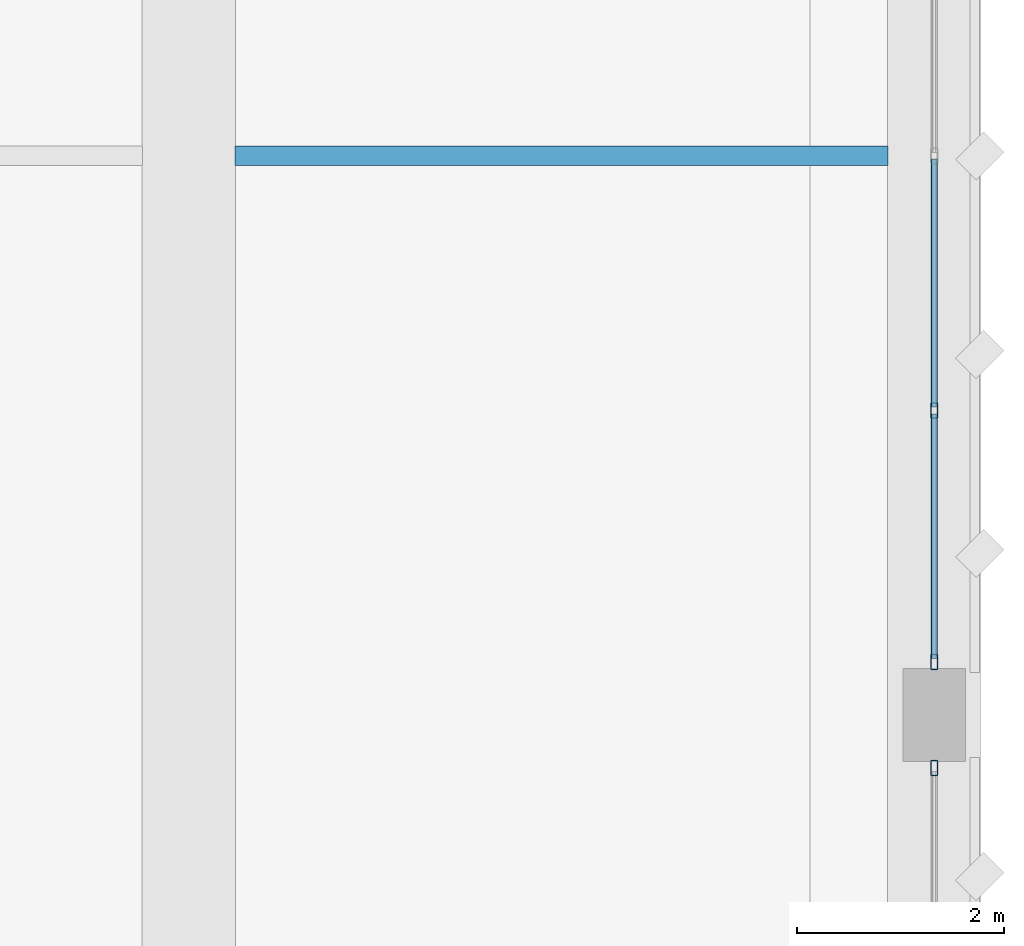
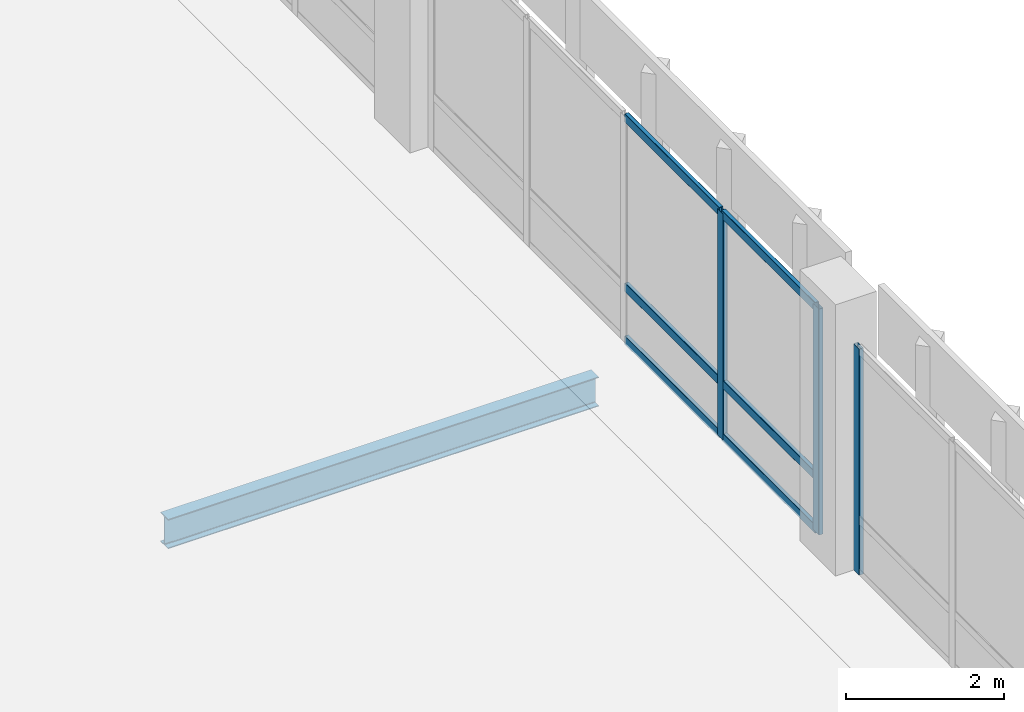
# One storey, part 82 of 158: 9 members, 1 beam, 2 elements without a shape of their own.
"""IFC4 building model written with IfcOpenShell, lengths in metres."""

import ifcopenshell
import ifcopenshell.guid

model = None  # the IFC model being written
_history = None  # IfcOwnerHistory: only IFC2X3 demands one
_inside = {}  # id of a spatial element -> (the spatial element, [elements in it])
_under = {}  # id of a project, library or spatial element -> (it, [spatial elements below it])
_declared = {}  # id of a project -> (the project, [libraries it declares])
_typed = {}  # id of a type object -> (the type object, [elements of that type])
_made_of = {}  # id of a material, layer set ... -> (it, [elements and type objects made of it])


def new_model(schema):
    """Start an empty IFC model of exactly this schema.

    Asked for "IFC4X3", IfcOpenShell would pick the latest addendum, in which some entities
    have other attributes; the version numbers below select the first issue.
    IFC2X3 requires an IfcOwnerHistory on every rooted entity: one is made here for all.
    """
    global model, _history
    if schema == "IFC4X3":
        model = ifcopenshell.file(schema_version=(4, 3, 0, 0))
    else:
        model = ifcopenshell.file(schema=schema)
    _inside.clear()
    _under.clear()
    _declared.clear()
    _typed.clear()
    _made_of.clear()
    _history = None
    if model.schema == "IFC2X3":
        org = make("IfcOrganization", Name="unknown")
        user = make(
            "IfcPersonAndOrganization",
            ThePerson=make("IfcPerson", FamilyName="unknown"),
            TheOrganization=org,
        )
        app = make(
            "IfcApplication",
            ApplicationDeveloper=org,
            Version="unknown",
            ApplicationFullName="unknown",
            ApplicationIdentifier="unknown",
        )
        _history = make(
            "IfcOwnerHistory",
            OwningUser=user,
            OwningApplication=app,
            ChangeAction="ADDED",
            CreationDate=0,
        )
    return model


def make(cls, **values):
    """One entity of the class cls with the attributes given. An attribute that is None is left unset."""
    return model.create_entity(
        cls, **{name: value for name, value in values.items() if value is not None}
    )


def rooted(cls, **values):
    """An entity with a GlobalId (a new one), such as an element, a storey or a relation."""
    return make(cls, GlobalId=ifcopenshell.guid.new(), OwnerHistory=_history, **values)


def si_unit(unit_type, name, prefix=None):
    """IfcSIUnit, for example si_unit("LENGTHUNIT", "METRE", prefix="MILLI")."""
    return make("IfcSIUnit", UnitType=unit_type, Prefix=prefix, Name=name)


def assignment(units):
    """IfcUnitAssignment: the units of a project."""
    return None if units is None else make("IfcUnitAssignment", Units=units)


def point(xyz):
    """IfcCartesianPoint."""
    return None if xyz is None else make("IfcCartesianPoint", Coordinates=xyz)


def direction(xyz):
    """IfcDirection."""
    return None if xyz is None else make("IfcDirection", DirectionRatios=xyz)


def frame(location, z_axis=None, x_axis=None):
    """IfcAxis2Placement3D, a coordinate frame: its origin and axes. An axis left out is left unset."""
    return make(
        "IfcAxis2Placement3D",
        Location=point(location),
        Axis=direction(z_axis),
        RefDirection=direction(x_axis),
    )


def frame_2d(location, x_axis=None):
    """IfcAxis2Placement2D, a coordinate frame in the plane: its origin and x axis."""
    return make(
        "IfcAxis2Placement2D", Location=point(location), RefDirection=direction(x_axis)
    )


def origin():
    """The frame at (0, 0, 0) with its axes left unset."""
    return frame((0.0, 0.0, 0.0))


def origin_2d():
    """The frame at (0, 0) in the plane with its x axis left unset."""
    return frame_2d((0.0, 0.0))


def place(relative_to, where):
    """IfcLocalPlacement: puts the frame where relative to a parent placement (None: the world)."""
    return make(
        "IfcLocalPlacement", PlacementRelTo=relative_to, RelativePlacement=where
    )


def context(
    kind, dimensions, precision=None, world=None, true_north=None, identifier=None
):
    """IfcGeometricRepresentationContext, for example the 3D "Model" context."""
    return make(
        "IfcGeometricRepresentationContext",
        ContextIdentifier=identifier,
        ContextType=kind,
        CoordinateSpaceDimension=dimensions,
        Precision=precision,
        WorldCoordinateSystem=world,
        TrueNorth=true_north,
    )


def subcontext(parent, identifier, kind, view, scale=None):
    """IfcGeometricRepresentationSubContext, for example "Body" below "Model"."""
    return make(
        "IfcGeometricRepresentationSubContext",
        ContextIdentifier=identifier,
        ContextType=kind,
        ParentContext=parent,
        TargetScale=scale,
        TargetView=view,
    )


def project(units=None, contexts=None):
    """IfcProject with its units and contexts."""
    return rooted(
        "IfcProject",
        Name="project",
        RepresentationContexts=contexts,
        UnitsInContext=assignment(units),
    )


def spatial(cls, under=None, at=None, **own):
    """A site, building, storey or space (cls), placed at a placement, below another one or the project."""
    s = rooted(cls, ObjectPlacement=at, **own)
    if under is not None:
        _under.setdefault(under.id(), (under, []))[1].append(s)
    return s


def profile(cls, at=None, kind="AREA", **sizes):
    """A parametric profile (cls). Its sizes go by their IFC names, for example OverallWidth=200.0."""
    return make(cls, ProfileType=kind, Position=at, **sizes)


def hollow_rectangle(**sizes):
    """IfcRectangleHollowProfileDef."""
    return profile("IfcRectangleHollowProfileDef", **sizes)


def i_section(**sizes):
    """IfcIShapeProfileDef."""
    return profile("IfcIShapeProfileDef", **sizes)


def extrude(swept, where, along, depth):
    """IfcExtrudedAreaSolid: the profile swept, set in the frame where, extruded along a direction by depth."""
    return make(
        "IfcExtrudedAreaSolid",
        SweptArea=swept,
        Position=where,
        ExtrudedDirection=direction(along),
        Depth=depth,
    )


def shape(context_of_items, identifier, shape_type, items):
    """IfcShapeRepresentation: the items that make up one representation, for example the "Body"."""
    return make(
        "IfcShapeRepresentation",
        ContextOfItems=context_of_items,
        RepresentationIdentifier=identifier,
        RepresentationType=shape_type,
        Items=items,
    )


def material(Name=None, Category=None):
    """IfcMaterial."""
    return make("IfcMaterial", Name=Name, Category=Category)


def material_profile(
    of_material, cross_section, Name=None, Category=None, Priority=None
):
    """IfcMaterialProfile: a cross section and its material."""
    return make(
        "IfcMaterialProfile",
        Name=Name,
        Material=of_material,
        Profile=cross_section,
        Priority=Priority,
        Category=Category,
    )


def profile_set(profiles, Name=None, composite=None):
    """IfcMaterialProfileSet."""
    return make(
        "IfcMaterialProfileSet",
        Name=Name,
        MaterialProfiles=profiles,
        CompositeProfile=composite,
    )


def made_of(thing, what):
    """Note that an element or type object is made of a material, layer set ...; save() writes the relation."""
    if what is not None:
        _made_of.setdefault(what.id(), (what, []))[1].append(thing)
    return thing


def type_object(cls, material=None, **own):
    """A type object (cls), such as IfcWallType, which elements share."""
    return made_of(rooted(cls, **own), material)


def element(
    cls,
    number,
    at=None,
    inside=None,
    cuts=None,
    type_object=None,
    material=None,
    context=None,
    identifier="Body",
    shape_type=None,
    held_by="IfcProductDefinitionShape",
    body=None,
    shapes=None,
    **own,
):
    """One element of the class cls, such as IfcWall. Its Tag is "e" and its number.

    at: its placement. inside: the storey or other place that contains it. cuts: it is an
    opening in that element (IfcRelVoidsElement). A single representation is given by context,
    identifier, shape_type and body (its items); several are given by shapes. held_by: the class
    of the entity that holds the representations. save() writes the other relations.
    """
    e = rooted(cls, Tag="e%d" % number, ObjectPlacement=at, **own)
    if body is not None:
        shapes = [shape(context, identifier, shape_type, body)]
    if shapes is not None:
        e.Representation = make(held_by, Representations=shapes)
    if inside is not None:
        _inside.setdefault(inside.id(), (inside, []))[1].append(e)
    if cuts is not None:
        rooted(
            "IfcRelVoidsElement", RelatingBuildingElement=cuts, RelatedOpeningElement=e
        )
    if type_object is not None:
        _typed.setdefault(type_object.id(), (type_object, []))[1].append(e)
    return made_of(e, material)


def aggregate(whole, parts):
    """IfcRelAggregates: a whole, such as a stair, and the parts it consists of."""
    return rooted("IfcRelAggregates", RelatingObject=whole, RelatedObjects=parts)


def save(model, path):
    """Write the relations noted so far, then the file.

    IfcRelAggregates (storeys below a building ...), IfcRelContainedInSpatialStructure (elements
    in a storey), IfcRelDefinesByType, IfcRelAssociatesMaterial and IfcRelDeclares: one each for
    every whole, place, type object, material and project.
    """
    for whole, parts in _under.values():
        aggregate(whole, parts)
    for where, things in _inside.values():
        rooted(
            "IfcRelContainedInSpatialStructure",
            RelatedElements=things,
            RelatingStructure=where,
        )
    for kind, things in _typed.values():
        rooted("IfcRelDefinesByType", RelatedObjects=things, RelatingType=kind)
    for what, things in _made_of.values():
        rooted("IfcRelAssociatesMaterial", RelatedObjects=things, RelatingMaterial=what)
    for by, libraries in _declared.values():
        rooted("IfcRelDeclares", RelatingContext=by, RelatedDefinitions=libraries)
    model.write(path)


model = new_model("IFC4")

# Units and contexts
model_context = context("Model", 3, precision=1e-05, world=origin(), true_north=direction((0.0, 1.0)))
body_context = subcontext(model_context, "Body", "Model", "MODEL_VIEW")
ifc_project = project(units=[si_unit("LENGTHUNIT", "METRE"), si_unit("AREAUNIT", "SQUARE_METRE"), si_unit("VOLUMEUNIT", "CUBIC_METRE"), si_unit("PLANEANGLEUNIT", "RADIAN"), si_unit("MASSUNIT", "GRAM", prefix="KILO")], contexts=[model_context])

# Site, building, storey
site_placement = place(None, origin())
site = spatial("IfcSite", under=ifc_project, at=site_placement, CompositionType="ELEMENT")
building_placement = place(site_placement, origin())
building = spatial("IfcBuilding", under=site, at=building_placement, Name="Lusvemor Sports Hall", CompositionType="ELEMENT")
storey_placement = place(building_placement, frame((0.0, 0.0, 10.800048828125)))
storey = spatial("IfcBuildingStorey", under=building, at=storey_placement, Name="L02", CompositionType="ELEMENT", Elevation=10.800048828125)

# Curtain wall, member
ifc_material_1 = material(Name="Thermally broken bronze-anodized aluminium", Category="aluminium")
curtain_wall_type = type_object("IfcCurtainWallType", Name="CW_COURT_C", PredefinedType="NOTDEFINED", material=ifc_material_1)
curtain_wall_1_placement = place(storey_placement, origin())
curtain_wall_1 = element("IfcCurtainWall", 1, at=curtain_wall_1_placement, inside=storey, type_object=curtain_wall_type, Name="Curtain Wall CW-V2E-L02-1", PredefinedType="NOTDEFINED")
ifc_material_2 = material(Name="Thermally broken bronze-anodized aluminium", Category="aluminium")
ifc_material_profile_1 = material_profile(ifc_material_2, hollow_rectangle(XDim=0.06494140625, YDim=0.14990234375, WallThickness=0.00390625, InnerFilletRadius=0.00390625, OuterFilletRadius=0.008056640625, at=origin_2d()), Name="CWMUL150x65x4")
ifc_profile_set_1 = profile_set([ifc_material_profile_1], Name="Thermally broken bronze-anodized aluminium")
member_type_1 = type_object("IfcMemberType", Name="CW_MUL_B", PredefinedType="MULLION", material=ifc_profile_set_1)
member_1_placement = place(storey_placement, frame((169.199951171875, 17.487548828125, 0.0), z_axis=(0.0, 0.0, 1.0), x_axis=(1.0, 0.0, 0.0)))
member_1 = element("IfcMember", 2, at=member_1_placement, type_object=member_type_1, Name="CW03 mullion 1", PredefinedType="MULLION", context=body_context, shape_type="SweptSolid", body=[
    extrude(hollow_rectangle(XDim=0.06494140625, YDim=0.14990234375, WallThickness=0.00390625, InnerFilletRadius=0.00390625, OuterFilletRadius=0.008056640625, at=origin_2d()), origin(), (0.0, 0.0, 1.0), 3.5),
])
aggregate(curtain_wall_1, [member_1])

# Curtain wall, members
curtain_wall_2_placement = place(storey_placement, origin())
curtain_wall_2 = element("IfcCurtainWall", 3, at=curtain_wall_2_placement, inside=storey, type_object=curtain_wall_type, Name="Curtain Wall CW-V2E-L02-2", PredefinedType="NOTDEFINED")
member_2_placement = place(storey_placement, frame((169.199951171875, 20.93994140625, 0.0), z_axis=(0.0, 0.0, 1.0), x_axis=(1.0, 0.0, 0.0)))
member_2 = element("IfcMember", 4, at=member_2_placement, type_object=member_type_1, Name="CW03 mullion 4", PredefinedType="MULLION", context=body_context, shape_type="SweptSolid", body=[
    extrude(hollow_rectangle(XDim=0.06494140625, YDim=0.14990234375, WallThickness=0.00390625, InnerFilletRadius=0.00390625, OuterFilletRadius=0.008056640625, at=origin_2d()), origin(), (0.0, 0.0, 1.0), 3.5),
])
member_3_placement = place(storey_placement, frame((169.199951171875, 18.512451171875, 0.0), z_axis=(0.0, 0.0, 1.0), x_axis=(1.0, 0.0, 0.0)))
member_3 = element("IfcMember", 5, at=member_3_placement, type_object=member_type_1, Name="CW03 mullion 5", PredefinedType="MULLION", context=body_context, shape_type="SweptSolid", body=[
    extrude(hollow_rectangle(XDim=0.06494140625, YDim=0.14990234375, WallThickness=0.00390625, InnerFilletRadius=0.00390625, OuterFilletRadius=0.008056640625, at=origin_2d()), origin(), (0.0, 0.0, 1.0), 3.5),
])
ifc_material_3 = material(Name="Thermally broken bronze-anodized aluminium", Category="aluminium")
ifc_material_profile_2 = material_profile(ifc_material_3, hollow_rectangle(XDim=0.06005859375, YDim=0.135009765625, WallThickness=0.00390625, InnerFilletRadius=0.00390625, OuterFilletRadius=0.008056640625, at=origin_2d()), Name="CWTRN135x60x4")
ifc_profile_set_2 = profile_set([ifc_material_profile_2], Name="Thermally broken bronze-anodized aluminium")
member_type_2 = type_object("IfcMemberType", Name="CW_TRN_B", PredefinedType="USERDEFINED", material=ifc_profile_set_2)
member_4_placement = place(storey_placement, frame((169.199951171875, 23.367431640625, 0.030029296875), z_axis=(0.0, -1.0, 0.0), x_axis=(1.0, 0.0, 0.0)))
member_4 = element("IfcMember", 6, at=member_4_placement, type_object=member_type_2, Name="CW03 transom 3.1", ObjectType="TRANSOM", PredefinedType="USERDEFINED", context=body_context, shape_type="SweptSolid", body=[
    extrude(hollow_rectangle(XDim=0.06005859375, YDim=0.135009765625, WallThickness=0.00390625, InnerFilletRadius=0.00390625, OuterFilletRadius=0.008056640625, at=origin_2d()), origin(), (0.0, 0.0, 1.0), 2.39501953125),
])
member_5_placement = place(storey_placement, frame((169.199951171875, 23.367431640625, 0.849853515625), z_axis=(0.0, -1.0, 0.0), x_axis=(1.0, 0.0, 0.0)))
member_5 = element("IfcMember", 7, at=member_5_placement, type_object=member_type_2, Name="CW03 transom 3.2", ObjectType="TRANSOM", PredefinedType="USERDEFINED", context=body_context, shape_type="SweptSolid", body=[
    extrude(hollow_rectangle(XDim=0.06005859375, YDim=0.135009765625, WallThickness=0.00390625, InnerFilletRadius=0.00390625, OuterFilletRadius=0.008056640625, at=origin_2d()), origin(), (0.0, 0.0, 1.0), 2.39501953125),
])
member_6_placement = place(storey_placement, frame((169.199951171875, 23.367431640625, 3.469970703125), z_axis=(0.0, -1.0, 0.0), x_axis=(1.0, 0.0, 0.0)))
member_6 = element("IfcMember", 8, at=member_6_placement, type_object=member_type_2, Name="CW03 transom 3.3", ObjectType="TRANSOM", PredefinedType="USERDEFINED", context=body_context, shape_type="SweptSolid", body=[
    extrude(hollow_rectangle(XDim=0.06005859375, YDim=0.135009765625, WallThickness=0.00390625, InnerFilletRadius=0.00390625, OuterFilletRadius=0.008056640625, at=origin_2d()), origin(), (0.0, 0.0, 1.0), 2.39501953125),
])
member_7_placement = place(storey_placement, frame((169.199951171875, 20.907470703125, 0.030029296875), z_axis=(0.0, -1.0, 0.0), x_axis=(1.0, 0.0, 0.0)))
member_7 = element("IfcMember", 9, at=member_7_placement, type_object=member_type_2, Name="CW03 transom 4.1", ObjectType="TRANSOM", PredefinedType="USERDEFINED", context=body_context, shape_type="SweptSolid", body=[
    extrude(hollow_rectangle(XDim=0.06005859375, YDim=0.135009765625, WallThickness=0.00390625, InnerFilletRadius=0.00390625, OuterFilletRadius=0.008056640625, at=origin_2d()), origin(), (0.0, 0.0, 1.0), 2.362548828125),
])
member_8_placement = place(storey_placement, frame((169.199951171875, 20.907470703125, 0.849853515625), z_axis=(0.0, -1.0, 0.0), x_axis=(1.0, 0.0, 0.0)))
member_8 = element("IfcMember", 10, at=member_8_placement, type_object=member_type_2, Name="CW03 transom 4.2", ObjectType="TRANSOM", PredefinedType="USERDEFINED", context=body_context, shape_type="SweptSolid", body=[
    extrude(hollow_rectangle(XDim=0.06005859375, YDim=0.135009765625, WallThickness=0.00390625, InnerFilletRadius=0.00390625, OuterFilletRadius=0.008056640625, at=origin_2d()), origin(), (0.0, 0.0, 1.0), 2.362548828125),
])
member_9_placement = place(storey_placement, frame((169.199951171875, 20.907470703125, 3.469970703125), z_axis=(0.0, -1.0, 0.0), x_axis=(1.0, 0.0, 0.0)))
member_9 = element("IfcMember", 11, at=member_9_placement, type_object=member_type_2, Name="CW03 transom 4.3", ObjectType="TRANSOM", PredefinedType="USERDEFINED", context=body_context, shape_type="SweptSolid", body=[
    extrude(hollow_rectangle(XDim=0.06005859375, YDim=0.135009765625, WallThickness=0.00390625, InnerFilletRadius=0.00390625, OuterFilletRadius=0.008056640625, at=origin_2d()), origin(), (0.0, 0.0, 1.0), 2.362548828125),
])
aggregate(curtain_wall_2, [member_2, member_3, member_4, member_5, member_6, member_7, member_8, member_9])

# Beam
ifc_material_4 = material(Name="Steel S355", Category="steel")
ifc_material_profile_3 = material_profile(ifc_material_4, i_section(OverallWidth=0.18994140625, OverallDepth=0.45703125, WebThickness=0.009033203125, FlangeThickness=0.014404296875, FilletRadius=0.01806640625, at=origin_2d()), Name="W460x74.0")
ifc_profile_set_3 = profile_set([ifc_material_profile_3], Name="Steel S355")
beam_type = type_object("IfcBeamType", Name="GIRD_ST_460", PredefinedType="T_BEAM", material=ifc_profile_set_3)
beam_placement = place(storey_placement, frame((162.445068359375, 23.39990234375, -0.58251953125), z_axis=(1.0, 0.0, 0.0), x_axis=(0.0, 1.0, 0.0)))
element("IfcBeam", 12, at=beam_placement, inside=storey, type_object=beam_type, Name="Transfer Deck Beam 19-20 Row 2", PredefinedType="T_BEAM", context=body_context, shape_type="SweptSolid", body=[
    extrude(i_section(OverallWidth=0.18994140625, OverallDepth=0.45703125, WebThickness=0.009033203125, FlangeThickness=0.014404296875, FilletRadius=0.01806640625, at=origin_2d()), origin(), (0.0, 0.0, 1.0), 6.309814453125),
])

save(model, "model.ifc")
